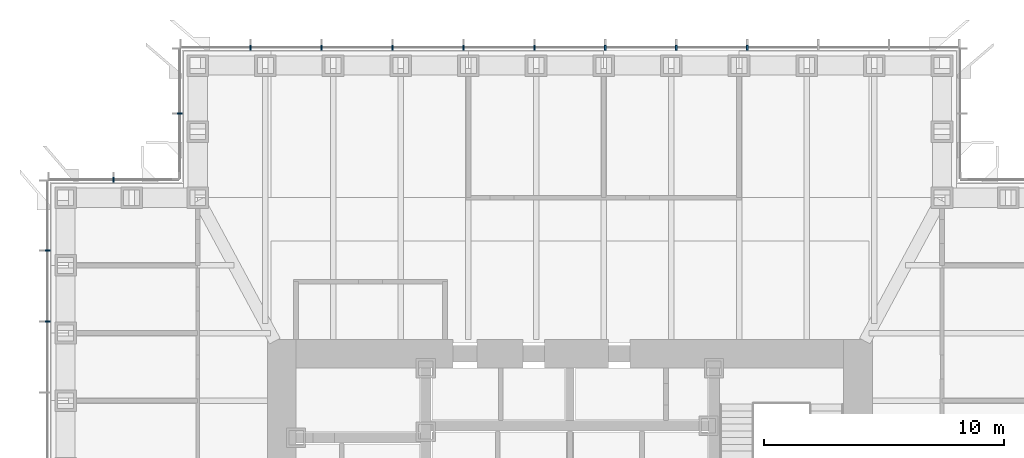
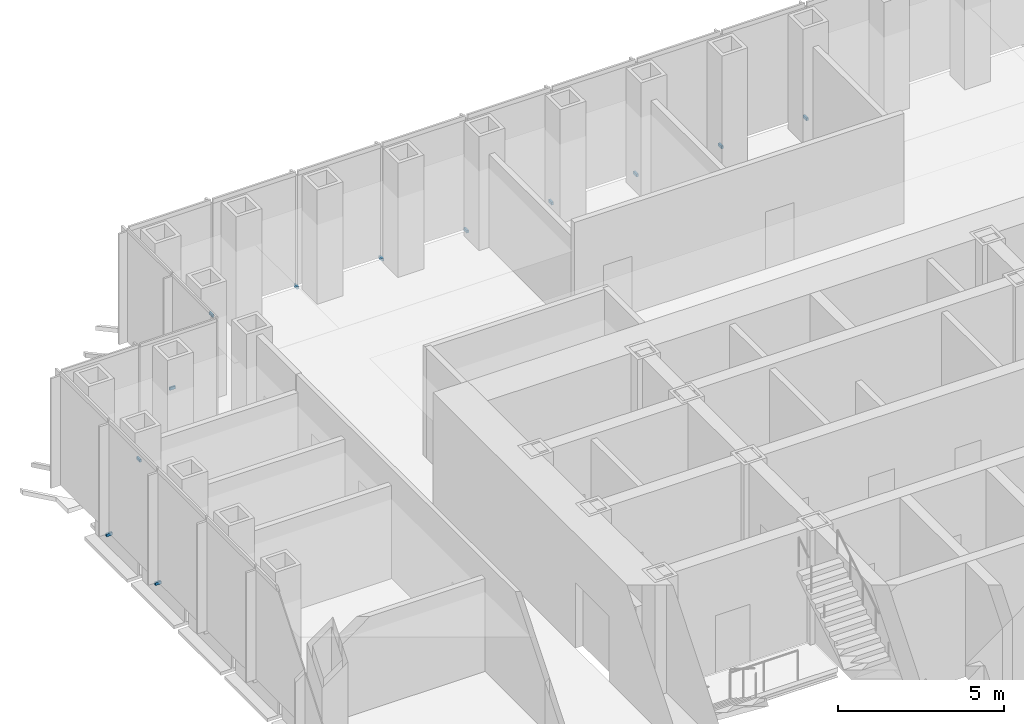
# One storey, part 14 of 17: 12 discrete accessories.
"""IFC4 building model written with IfcOpenShell, lengths in metres."""

from ifc_helpers import new_model, si_unit, direction, frame, origin, origin_2d, place, context, subcontext, project, spatial, rectangle, extrude, element, save


model = new_model("IFC4")

# Units and contexts
model_context = context("Model", 3, precision=1e-05, world=origin(), true_north=direction((0.0, 1.0)))
body_context = subcontext(model_context, "Body", "Model", "MODEL_VIEW")
ifc_project = project(units=[si_unit("LENGTHUNIT", "METRE"), si_unit("AREAUNIT", "SQUARE_METRE"), si_unit("VOLUMEUNIT", "CUBIC_METRE"), si_unit("PLANEANGLEUNIT", "RADIAN"), si_unit("MASSUNIT", "GRAM", prefix="KILO")], contexts=[model_context])

# Site, building, storey
site_placement = place(None, origin())
site = spatial("IfcSite", under=ifc_project, at=site_placement, CompositionType="ELEMENT")
building_placement = place(site_placement, origin())
building = spatial("IfcBuilding", under=site, at=building_placement, Name="Daluyong Arena Tower", CompositionType="ELEMENT")
storey_placement = place(building_placement, frame((0.0, 0.0, 185.5)))
storey = spatial("IfcBuildingStorey", under=building, at=storey_placement, Name="L41", CompositionType="ELEMENT", Elevation=185.5)

# Discrete accessories
for number, where, z_axis, x_axis, name in (
    (1, (63.386474609375, 101.75, -0.10009765625), (0.0, 0.0, 1.0), (-1.0, 0.0, 0.0), "curtain wall L41 N anchor bracket 4"),
    (2, (60.431884765625, 101.75, -0.10009765625), (0.0, 0.0, 1.0), (-1.0, 0.0, 0.0), "curtain wall L41 N anchor bracket 5"),
    (3, (57.477294921875, 101.75, -0.10009765625), (0.0, 0.0, 1.0), (-1.0, 0.0, 0.0), "curtain wall L41 N anchor bracket 6"),
    (4, (54.522705078125, 101.75, -0.10009765625), (0.0, 0.0, 1.0), (-1.0, 0.0, 0.0), "curtain wall L41 N anchor bracket 7"),
    (5, (51.568115234375, 101.75, -0.10009765625), (0.0, 0.0, 1.0), (-1.0, 0.0, 0.0), "curtain wall L41 N anchor bracket 8"),
    (6, (48.613525390625, 101.75, -0.10009765625), (0.0, 0.0, 1.0), (-1.0, 0.0, 0.0), "curtain wall L41 N anchor bracket 9"),
    (7, (45.6591796875, 101.75, -0.10009765625), (0.0, 0.0, 1.0), (-1.0, 0.0, 0.0), "curtain wall L41 N anchor bracket 10"),
    (8, (42.70458984375, 101.75, -0.10009765625), (0.0, 0.0, 1.0), (-1.0, 0.0, 0.0), "curtain wall L41 N anchor bracket 11"),
):
    element("IfcDiscreteAccessory", number, at=place(storey_placement, frame(where, z_axis=z_axis, x_axis=x_axis)), inside=storey, Name=name, PredefinedType="BRACKET", context=body_context, shape_type="SweptSolid", body=[
        extrude(rectangle(XDim=0.070068359375, YDim=0.199951171875, at=origin_2d()), origin(), (0.0, 0.0, 1.0), 0.10009765625),
    ])
for number, where, z_axis, x_axis, name in (
    (9, (39.75, 99.0, -0.10009765625), (0.0, 0.0, 1.0), (0.0, -1.0, 0.0), "curtain wall L41 NW-W anchor bracket 2"),
    (10, (37.0, 96.25, -0.10009765625), (0.0, 0.0, 1.0), (-1.0, 0.0, 0.0), "curtain wall L41 NW-N anchor bracket 2"),
):
    element("IfcDiscreteAccessory", number, at=place(storey_placement, frame(where, z_axis=z_axis, x_axis=x_axis)), inside=storey, Name=name, PredefinedType="BRACKET", context=body_context, shape_type="SweptSolid", body=[
        extrude(rectangle(XDim=0.06005859375, YDim=0.199951171875, at=origin_2d()), origin(), (0.0, 0.0, 1.0), 0.10009765625),
    ])
for number, where, z_axis, x_axis, name in (
    (11, (34.25, 93.29541015625, -0.10009765625), (0.0, 0.0, 1.0), (0.0, -1.0, 0.0), "curtain wall L41 W anchor bracket 2"),
    (12, (34.25, 90.3408203125, -0.10009765625), (0.0, 0.0, 1.0), (0.0, -1.0, 0.0), "curtain wall L41 W anchor bracket 3"),
):
    element("IfcDiscreteAccessory", number, at=place(storey_placement, frame(where, z_axis=z_axis, x_axis=x_axis)), inside=storey, Name=name, PredefinedType="BRACKET", context=body_context, shape_type="SweptSolid", body=[
        extrude(rectangle(XDim=0.070068359375, YDim=0.199951171875, at=origin_2d()), origin(), (0.0, 0.0, 1.0), 0.10009765625),
    ])

save(model, "model.ifc")
